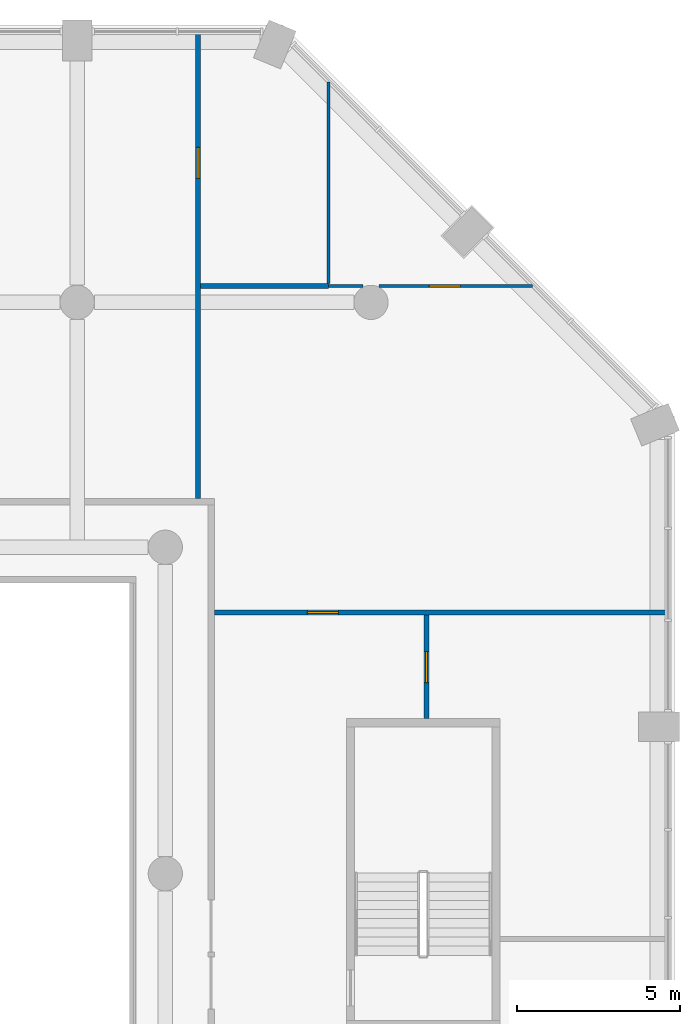
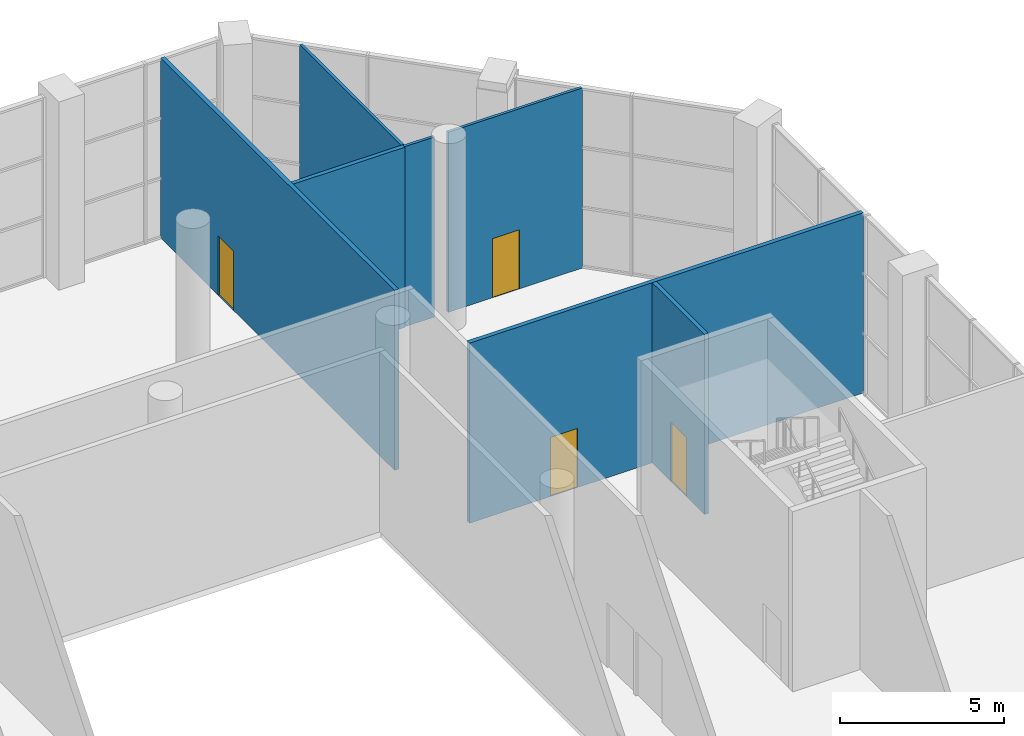
# One storey, part 14 of 22: 7 walls, 4 doors, 4 openings.
"""IFC4 building model written with IfcOpenShell, lengths in metres."""

from ifc_helpers import new_model, si_unit, direction, frame, frame_2d, origin, place, context, subcontext, project, spatial, rectangle, extrude, material, layer, layer_set, type_object, element, fill, save


model = new_model("IFC4")

# Units and contexts
model_context = context("Model", 3, precision=1e-05, world=origin(), true_north=direction((0.0, 1.0)))
body_context = subcontext(model_context, "Body", "Model", "MODEL_VIEW")
ifc_project = project(units=[si_unit("LENGTHUNIT", "METRE"), si_unit("AREAUNIT", "SQUARE_METRE"), si_unit("VOLUMEUNIT", "CUBIC_METRE"), si_unit("PLANEANGLEUNIT", "RADIAN"), si_unit("MASSUNIT", "GRAM", prefix="KILO")], contexts=[model_context])

# Site, building, storey
site_placement = place(None, origin())
site = spatial("IfcSite", under=ifc_project, at=site_placement, CompositionType="ELEMENT")
building_placement = place(site_placement, origin())
building = spatial("IfcBuilding", under=site, at=building_placement, Name="Cypress Arch Tower", CompositionType="ELEMENT")
storey_placement = place(building_placement, frame((0.0, 0.0, 145.5)))
storey = spatial("IfcBuildingStorey", under=building, at=storey_placement, Name="L32", CompositionType="ELEMENT", Elevation=145.5)

# Wall, opening, door
ifc_material_1 = material(Name="Blockwork, plastered both sides", Category="masonry")
ifc_layer_1 = layer(ifc_material_1, 0.14990234375)
ifc_layer_set_1 = layer_set([ifc_layer_1], Name="Partition PW150")
wall_type_1 = type_object("IfcWallType", Name="Partition PW150", PredefinedType="PARTITIONING", material=ifc_layer_set_1)
wall_1_placement = place(storey_placement, frame((10.0, 11.5, 0.0), z_axis=(0.0, 0.0, 1.0), x_axis=(0.0, 1.0, 0.0)))
wall_1 = element("IfcWall", 1, at=wall_1_placement, inside=storey, type_object=wall_type_1, Name="Partition", PredefinedType="PARTITIONING", context=body_context, shape_type="SweptSolid", body=[
    extrude(rectangle(XDim=14.2548828125, YDim=0.14990234375, at=frame_2d((7.12744140625, 0.0))), origin(), (0.0, 0.0, 1.0), 6.699951171875),
])
opening_1_placement = place(wall_1_placement, frame((9.800048828125, 0.0, 0.0)))
opening_1 = element("IfcOpeningElement", 2, at=opening_1_placement, cuts=wall_1, Name="Opening D12", PredefinedType="OPENING", context=body_context, shape_type="SweptSolid", body=[
    extrude(rectangle(XDim=0.949951171875, YDim=2.199951171875, at=frame_2d((0.47509765625, 1.10009765625))), frame((0.0, 0.0849609375, 0.0), z_axis=(0.0, -1.0, 0.0), x_axis=(1.0, 0.0, 0.0)), (0.0, 0.0, 1.0), 0.169921875),
])
ifc_material_2 = material(Name="Timber flush door", Category="wood")
door_type = type_object("IfcDoorType", Name="Room door D12 950x2200", OperationType="SINGLE_SWING_LEFT", PredefinedType="DOOR", material=ifc_material_2)
door_1_placement = place(opening_1_placement, origin())
door_1 = element("IfcDoor", 3, at=door_1_placement, inside=storey, type_object=door_type, Name="Room door", OperationType="SINGLE_SWING_LEFT", OverallHeight=2.199951171875, OverallWidth=0.949951171875, PredefinedType="DOOR", context=body_context, shape_type="SweptSolid", body=[
    extrude(rectangle(XDim=0.949951171875, YDim=2.199951171875, at=frame_2d((0.47509765625, 1.10009765625))), frame((0.0, 0.02490234375, 0.0), z_axis=(0.0, -1.0, 0.0), x_axis=(1.0, 0.0, 0.0)), (0.0, 0.0, 1.0), 0.050048828125),
])
fill(opening_1, door_1)

# Wall
wall_2_placement = place(storey_placement, frame((10.074951171875, 18.0, 0.0), z_axis=(0.0, 0.0, 1.0), x_axis=(1.0, 0.0, 0.0)))
element("IfcWall", 4, at=wall_2_placement, inside=storey, type_object=wall_type_1, Name="Partition", PredefinedType="PARTITIONING", context=body_context, shape_type="SweptSolid", body=[
    extrude(rectangle(XDim=3.925048828125, YDim=0.14990234375, at=frame_2d((1.96240234375, 0.0))), origin(), (0.0, 0.0, 1.0), 6.699951171875),
])

# Wall, opening, door
wall_3_placement = place(storey_placement, frame((10.5, 8.0, 0.0), z_axis=(0.0, 0.0, 1.0), x_axis=(1.0, 0.0, 0.0)))
wall_3 = element("IfcWall", 5, at=wall_3_placement, inside=storey, type_object=wall_type_1, Name="Partition", PredefinedType="PARTITIONING", context=body_context, shape_type="SweptSolid", body=[
    extrude(rectangle(XDim=13.85498046875, YDim=0.14990234375, at=frame_2d((6.927490234375, 0.0))), origin(), (0.0, 0.0, 1.0), 6.699951171875),
])
opening_2_placement = place(wall_3_placement, frame((2.85009765625, 0.0, 0.0)))
opening_2 = element("IfcOpeningElement", 6, at=opening_2_placement, cuts=wall_3, Name="Opening D12", PredefinedType="OPENING", context=body_context, shape_type="SweptSolid", body=[
    extrude(rectangle(XDim=0.949951171875, YDim=2.199951171875, at=frame_2d((0.47509765625, 1.10009765625))), frame((0.0, 0.0849609375, 0.0), z_axis=(0.0, -1.0, 0.0), x_axis=(1.0, 0.0, 0.0)), (0.0, 0.0, 1.0), 0.169921875),
])
door_2_placement = place(opening_2_placement, origin())
door_2 = element("IfcDoor", 7, at=door_2_placement, inside=storey, type_object=door_type, Name="Room door", OperationType="SINGLE_SWING_LEFT", OverallHeight=2.199951171875, OverallWidth=0.949951171875, PredefinedType="DOOR", context=body_context, shape_type="SweptSolid", body=[
    extrude(rectangle(XDim=0.949951171875, YDim=2.199951171875, at=frame_2d((0.47509765625, 1.10009765625))), frame((0.0, 0.02490234375, 0.0), z_axis=(0.0, -1.0, 0.0), x_axis=(1.0, 0.0, 0.0)), (0.0, 0.0, 1.0), 0.050048828125),
])
fill(opening_2, door_2)

wall_4_placement = place(storey_placement, frame((17.0, 4.75, 0.0), z_axis=(0.0, 0.0, 1.0), x_axis=(0.0, 1.0, 0.0)))
wall_4 = element("IfcWall", 8, at=wall_4_placement, inside=storey, type_object=wall_type_1, Name="Partition", PredefinedType="PARTITIONING", context=body_context, shape_type="SweptSolid", body=[
    extrude(rectangle(XDim=3.175048828125, YDim=0.14990234375, at=frame_2d((1.58740234375, 0.0))), origin(), (0.0, 0.0, 1.0), 6.699951171875),
])
opening_3_placement = place(wall_4_placement, frame((1.10009765625, 0.0, 0.0)))
opening_3 = element("IfcOpeningElement", 9, at=opening_3_placement, cuts=wall_4, Name="Opening D12", PredefinedType="OPENING", context=body_context, shape_type="SweptSolid", body=[
    extrude(rectangle(XDim=0.949951171875, YDim=2.199951171875, at=frame_2d((0.47509765625, 1.10009765625))), frame((0.0, 0.0849609375, 0.0), z_axis=(0.0, -1.0, 0.0), x_axis=(1.0, 0.0, 0.0)), (0.0, 0.0, 1.0), 0.169921875),
])
door_3_placement = place(opening_3_placement, origin())
door_3 = element("IfcDoor", 10, at=door_3_placement, inside=storey, type_object=door_type, Name="Room door", OperationType="SINGLE_SWING_LEFT", OverallHeight=2.199951171875, OverallWidth=0.949951171875, PredefinedType="DOOR", context=body_context, shape_type="SweptSolid", body=[
    extrude(rectangle(XDim=0.949951171875, YDim=2.199951171875, at=frame_2d((0.47509765625, 1.10009765625))), frame((0.0, 0.02490234375, 0.0), z_axis=(0.0, -1.0, 0.0), x_axis=(1.0, 0.0, 0.0)), (0.0, 0.0, 1.0), 0.050048828125),
])
fill(opening_3, door_3)

# Wall
ifc_material_3 = material(Name="Moisture resistant board on steel studs, tiled", Category="steel")
ifc_layer_2 = layer(ifc_material_3, 0.10009765625)
ifc_layer_set_2 = layer_set([ifc_layer_2], Name="Wet wall PW100")
wall_type_2 = type_object("IfcWallType", Name="Wet wall PW100", PredefinedType="PARTITIONING", material=ifc_layer_set_2)
wall_5_placement = place(storey_placement, frame((14.0, 18.0, 0.0), z_axis=(0.0, 0.0, 1.0), x_axis=(1.0, 0.0, 0.0)))
element("IfcWall", 11, at=wall_5_placement, inside=storey, type_object=wall_type_2, Name="Wet wall", PredefinedType="PARTITIONING", context=body_context, shape_type="SweptSolid", body=[
    extrude(rectangle(XDim=1.058349609375, YDim=0.10009765625, at=frame_2d((0.529296875, 0.0))), origin(), (0.0, 0.0, 1.0), 6.699951171875),
])

# Wall, opening, door
wall_6_placement = place(storey_placement, frame((15.54150390625, 18.0, 0.0), z_axis=(0.0, 0.0, 1.0), x_axis=(1.0, 0.0, 0.0)))
wall_6 = element("IfcWall", 12, at=wall_6_placement, inside=storey, type_object=wall_type_2, Name="Wet wall", PredefinedType="PARTITIONING", context=body_context, shape_type="SweptSolid", body=[
    extrude(rectangle(XDim=4.7119140625, YDim=0.10009765625, at=frame_2d((2.35595703125, 0.0))), origin(), (0.0, 0.0, 1.0), 6.699951171875),
])
opening_4_placement = place(wall_6_placement, frame((1.550048828125, 0.0, 0.0)))
opening_4 = element("IfcOpeningElement", 13, at=opening_4_placement, cuts=wall_6, Name="Opening D12", PredefinedType="OPENING", context=body_context, shape_type="SweptSolid", body=[
    extrude(rectangle(XDim=0.949951171875, YDim=2.199951171875, at=frame_2d((0.47509765625, 1.10009765625))), frame((0.0, 0.06005859375, 0.0), z_axis=(0.0, -1.0, 0.0), x_axis=(1.0, 0.0, 0.0)), (0.0, 0.0, 1.0), 0.1201171875),
])
door_4_placement = place(opening_4_placement, origin())
door_4 = element("IfcDoor", 14, at=door_4_placement, inside=storey, type_object=door_type, Name="Room door", OperationType="SINGLE_SWING_LEFT", OverallHeight=2.199951171875, OverallWidth=0.949951171875, PredefinedType="DOOR", context=body_context, shape_type="SweptSolid", body=[
    extrude(rectangle(XDim=0.949951171875, YDim=2.199951171875, at=frame_2d((0.47509765625, 1.10009765625))), frame((0.0, 0.02490234375, 0.0), z_axis=(0.0, -1.0, 0.0), x_axis=(1.0, 0.0, 0.0)), (0.0, 0.0, 1.0), 0.050048828125),
])
fill(opening_4, door_4)

# Wall
wall_7_placement = place(storey_placement, frame((14.0, 18.074951171875, 0.0), z_axis=(0.0, 0.0, 1.0), x_axis=(0.0, 1.0, 0.0)))
element("IfcWall", 15, at=wall_7_placement, inside=storey, type_object=wall_type_2, Name="Wet wall", PredefinedType="PARTITIONING", context=body_context, shape_type="SweptSolid", body=[
    extrude(rectangle(XDim=6.178466796875, YDim=0.10009765625, at=frame_2d((3.08935546875, 0.0))), origin(), (0.0, 0.0, 1.0), 6.699951171875),
])

save(model, "model.ifc")
